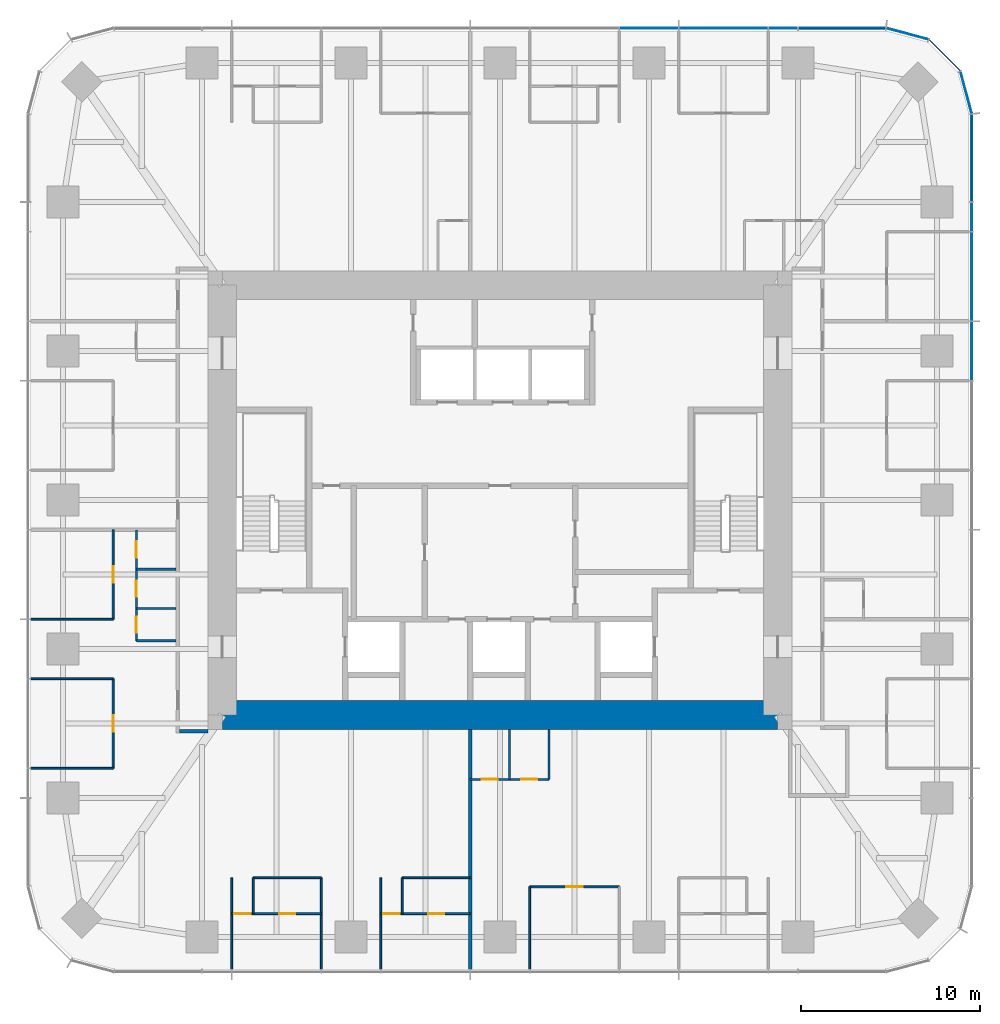
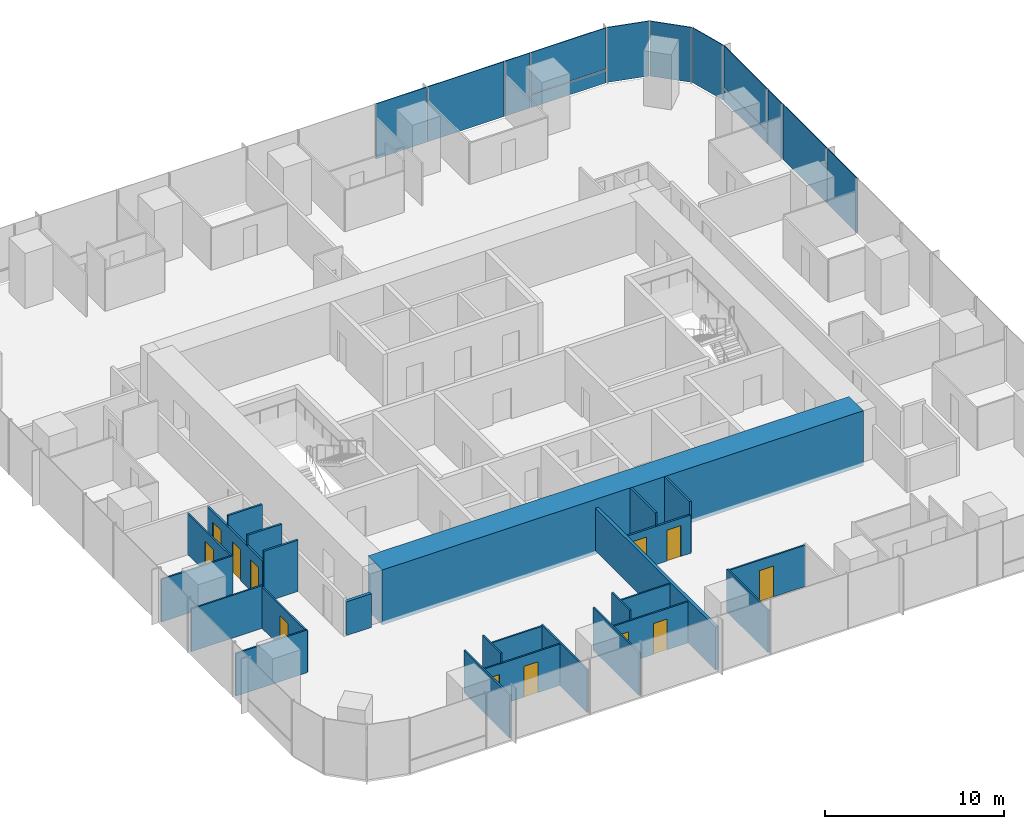
# One storey, part 8 of 12: 26 walls, 13 plates, 12 doors, 12 openings, 3 elements without a shape of their own.
"""IFC4 building model written with IfcOpenShell, lengths in metres."""

from ifc_helpers import new_model, si_unit, direction, frame, frame_2d, origin, origin_2d, place, context, subcontext, project, spatial, rectangle, extrude, material, layer, layer_set, type_object, element, fill, aggregate, save


model = new_model("IFC4")

# Units and contexts
model_context = context("Model", 3, precision=1e-05, world=origin(), true_north=direction((0.0, 1.0)))
body_context = subcontext(model_context, "Body", "Model", "MODEL_VIEW")
ifc_project = project(units=[si_unit("LENGTHUNIT", "METRE"), si_unit("AREAUNIT", "SQUARE_METRE"), si_unit("VOLUMEUNIT", "CUBIC_METRE"), si_unit("PLANEANGLEUNIT", "RADIAN"), si_unit("MASSUNIT", "GRAM", prefix="KILO")], contexts=[model_context])

# Site, building, storey
site_placement = place(None, origin())
site = spatial("IfcSite", under=ifc_project, at=site_placement, CompositionType="ELEMENT")
building_placement = place(site_placement, origin())
building = spatial("IfcBuilding", under=site, at=building_placement, Name="Khuree Lantern Residences", CompositionType="ELEMENT")
storey_placement = place(building_placement, frame((0.0, 0.0, 222.0)))
storey = spatial("IfcBuildingStorey", under=building, at=storey_placement, Name="L55", CompositionType="ELEMENT", Elevation=222.0)

# Curtain wall, plates
ifc_material_1 = material(Name="Bronze anodised aluminium", Category="aluminium")
curtain_wall_type_1 = type_object("IfcCurtainWallType", Name="CW-T2 TOWER CORNER CURTAIN WALL", PredefinedType="USERDEFINED", material=ifc_material_1)
curtain_wall_1_placement = place(storey_placement, origin())
curtain_wall_1 = element("IfcCurtainWall", 1, at=curtain_wall_1_placement, inside=storey, type_object=curtain_wall_type_1, Name="L55 NORTH-EAST CORNER CURTAIN WALL", ObjectType="Faceted corner curtain wall", PredefinedType="USERDEFINED")
ifc_material_2 = material(Name="Bronze tinted triple glazing", Category="glass")
ifc_layer_1 = layer(ifc_material_2, 0.048095703125)
ifc_layer_set_1 = layer_set([ifc_layer_1], Name="FACET PANEL P4")
plate_type_1 = type_object("IfcPlateType", Name="FACET PANEL P4", PredefinedType="CURTAIN_PANEL", material=ifc_layer_set_1)
plate_1_placement = place(storey_placement, frame((26.029052734375, 22.748046875, 0.0), z_axis=(0.0, 0.0, 1.0), x_axis=(-0.258819021888, 0.965925832509, 0.0)))
plate_1 = element("IfcPlate", 2, at=plate_1_placement, type_object=plate_type_1, Name="L55 NORTH-EAST CORNER PANEL 15.1", PredefinedType="CURTAIN_PANEL", context=body_context, shape_type="SweptSolid", body=[
    extrude(rectangle(XDim=2.40869140625, YDim=0.048095703125, at=origin_2d()), origin(), (0.0, 0.0, 1.0), 3.75),
])
plate_2_placement = place(storey_placement, frame((24.828369140625, 24.828369140625, 0.0), z_axis=(0.0, 0.0, 1.0), x_axis=(-0.707106781187, 0.707106781187, 0.0)))
plate_2 = element("IfcPlate", 3, at=plate_2_placement, type_object=plate_type_1, Name="L55 NORTH-EAST CORNER PANEL 16.1", PredefinedType="CURTAIN_PANEL", context=body_context, shape_type="SweptSolid", body=[
    extrude(rectangle(XDim=2.404541015625, YDim=0.048095703125, at=origin_2d()), origin(), (0.0, 0.0, 1.0), 3.75),
])
plate_3_placement = place(storey_placement, frame((22.748046875, 26.029052734375, 0.0), z_axis=(0.0, 0.0, 1.0), x_axis=(-0.965925832509, 0.258819021888, 0.0)))
plate_3 = element("IfcPlate", 4, at=plate_3_placement, type_object=plate_type_1, Name="L55 NORTH-EAST CORNER PANEL 17.1", PredefinedType="CURTAIN_PANEL", context=body_context, shape_type="SweptSolid", body=[
    extrude(rectangle(XDim=2.40869140625, YDim=0.048095703125, at=origin_2d()), origin(), (0.0, 0.0, 1.0), 3.75),
])
aggregate(curtain_wall_1, [plate_1, plate_2, plate_3])

# Curtain wall, plate
curtain_wall_type_2 = type_object("IfcCurtainWallType", Name="CW-T1 TOWER FACE CURTAIN WALL", PredefinedType="USERDEFINED", material=ifc_material_1)
curtain_wall_2_placement = place(storey_placement, origin())
curtain_wall_2 = element("IfcCurtainWall", 5, at=curtain_wall_2_placement, inside=storey, type_object=curtain_wall_type_2, Name="L55 EAST FACE CURTAIN WALL", ObjectType="Stick-built curtain wall", PredefinedType="USERDEFINED")
ifc_material_3 = material(Name="Bronze tinted triple glazing with a ceramic-fritted spandrel band", Category="glass")
ifc_layer_2 = layer(ifc_material_3, 0.048095703125)
ifc_layer_set_2 = layer_set([ifc_layer_2], Name="FIXED LIGHT PANEL P11")
plate_type_2 = type_object("IfcPlateType", Name="FIXED LIGHT PANEL P11", PredefinedType="CURTAIN_PANEL", material=ifc_layer_set_2)
plate_4_placement = place(storey_placement, frame((26.35009765625, 12.47998046875, 0.0), z_axis=(0.0, 0.0, 1.0), x_axis=(0.0, 1.0, 0.0)))
plate_4 = element("IfcPlate", 6, at=plate_4_placement, type_object=plate_type_2, Name="L55 EAST FACE PANEL 12.1", PredefinedType="CURTAIN_PANEL", context=body_context, shape_type="SweptSolid", body=[
    extrude(rectangle(XDim=4.927001953125, YDim=0.048095703125, at=origin_2d()), origin(), (0.0, 0.0, 1.0), 3.75),
])

curtain_wall_3_placement = place(storey_placement, origin())
curtain_wall_3 = element("IfcCurtainWall", 7, at=curtain_wall_3_placement, inside=storey, type_object=curtain_wall_type_2, Name="L55 NORTH FACE CURTAIN WALL", ObjectType="Stick-built curtain wall", PredefinedType="USERDEFINED")
plate_5_placement = place(storey_placement, frame((12.47998046875, 26.35009765625, 0.0), z_axis=(0.0, 0.0, 1.0), x_axis=(-1.0, 0.0, 0.0)))
plate_5 = element("IfcPlate", 8, at=plate_5_placement, type_object=plate_type_2, Name="L55 NORTH FACE PANEL 20.1", PredefinedType="CURTAIN_PANEL", context=body_context, shape_type="SweptSolid", body=[
    extrude(rectangle(XDim=4.927001953125, YDim=0.048095703125, at=origin_2d()), origin(), (0.0, 0.0, 1.0), 3.75),
])

# Plate
ifc_material_4 = material(Name="Bronze tinted triple glazing, two aluminium-framed sashes in one frame", Category="aluminium")
ifc_layer_3 = layer(ifc_material_4, 0.048095703125)
ifc_layer_set_3 = layer_set([ifc_layer_3], Name="SASH PAIR PANEL P12")
plate_type_3 = type_object("IfcPlateType", Name="SASH PAIR PANEL P12", PredefinedType="CURTAIN_PANEL", material=ifc_layer_set_3)
plate_6_placement = place(storey_placement, frame((26.35009765625, 8.320068359375, 0.0), z_axis=(0.0, 0.0, 1.0), x_axis=(0.0, 1.0, 0.0)))
plate_6 = element("IfcPlate", 9, at=plate_6_placement, type_object=plate_type_3, Name="L55 EAST FACE PANEL 11.1", PredefinedType="CURTAIN_PANEL", context=body_context, shape_type="SweptSolid", body=[
    extrude(rectangle(XDim=3.262939453125, YDim=0.048095703125, at=origin_2d()), origin(), (0.0, 0.0, 1.0), 3.75),
])

plate_7_placement = place(storey_placement, frame((8.320068359375, 26.35009765625, 0.0), z_axis=(0.0, 0.0, 1.0), x_axis=(-1.0, 0.0, 0.0)))
plate_7 = element("IfcPlate", 10, at=plate_7_placement, type_object=plate_type_3, Name="L55 NORTH FACE PANEL 21.1", PredefinedType="CURTAIN_PANEL", context=body_context, shape_type="SweptSolid", body=[
    extrude(rectangle(XDim=3.262939453125, YDim=0.048095703125, at=origin_2d()), origin(), (0.0, 0.0, 1.0), 3.75),
])

ifc_material_5 = material(Name="Bronze tinted triple glazing, aluminium-framed sash", Category="aluminium")
ifc_layer_4 = layer(ifc_material_5, 0.048095703125)
ifc_layer_set_4 = layer_set([ifc_layer_4], Name="SASH PANEL P3")
plate_type_4 = type_object("IfcPlateType", Name="SASH PANEL P3", PredefinedType="CURTAIN_PANEL", material=ifc_layer_set_4)
plate_8_placement = place(storey_placement, frame((26.35009765625, 15.80810546875, 0.0), z_axis=(0.0, 0.0, 1.0), x_axis=(0.0, 1.0, 0.0)))
plate_8 = element("IfcPlate", 11, at=plate_8_placement, type_object=plate_type_4, Name="L55 EAST FACE PANEL 13.1", PredefinedType="CURTAIN_PANEL", context=body_context, shape_type="SweptSolid", body=[
    extrude(rectangle(XDim=1.59912109375, YDim=0.048095703125, at=origin_2d()), origin(), (0.0, 0.0, 1.0), 3.75),
])

plate_9_placement = place(storey_placement, frame((15.80810546875, 26.35009765625, 0.0), z_axis=(0.0, 0.0, 1.0), x_axis=(-1.0, 0.0, 0.0)))
plate_9 = element("IfcPlate", 12, at=plate_9_placement, type_object=plate_type_4, Name="L55 NORTH FACE PANEL 19.1", PredefinedType="CURTAIN_PANEL", context=body_context, shape_type="SweptSolid", body=[
    extrude(rectangle(XDim=1.59912109375, YDim=0.048095703125, at=origin_2d()), origin(), (0.0, 0.0, 1.0), 3.75),
])

ifc_material_6 = material(Name="Bronze anodised aluminium insulated spandrel", Category="aluminium")
ifc_layer_5 = layer(ifc_material_6, 0.06005859375)
ifc_layer_set_5 = layer_set([ifc_layer_5], Name="SPANDREL PANEL P2")
plate_type_5 = type_object("IfcPlateType", Name="SPANDREL PANEL P2", PredefinedType="CURTAIN_PANEL", material=ifc_layer_set_5)
plate_10_placement = place(storey_placement, frame((26.35009765625, 19.0927734375, 0.0), z_axis=(0.0, 0.0, 1.0), x_axis=(0.0, 1.0, 0.0)))
plate_10 = element("IfcPlate", 13, at=plate_10_placement, type_object=plate_type_5, Name="L55 EAST FACE PANEL 14.1", PredefinedType="CURTAIN_PANEL", context=body_context, shape_type="SweptSolid", body=[
    extrude(rectangle(XDim=4.8408203125, YDim=0.06005859375, at=origin_2d()), origin(), (0.0, 0.0, 1.0), 0.867431640625),
])

plate_11_placement = place(storey_placement, frame((19.0927734375, 26.35009765625, 0.0), z_axis=(0.0, 0.0, 1.0), x_axis=(-1.0, 0.0, 0.0)))
plate_11 = element("IfcPlate", 14, at=plate_11_placement, type_object=plate_type_5, Name="L55 NORTH FACE PANEL 18.1", PredefinedType="CURTAIN_PANEL", context=body_context, shape_type="SweptSolid", body=[
    extrude(rectangle(XDim=4.8408203125, YDim=0.06005859375, at=origin_2d()), origin(), (0.0, 0.0, 1.0), 0.867431640625),
])

ifc_layer_6 = layer(ifc_material_2, 0.048095703125)
ifc_layer_set_6 = layer_set([ifc_layer_6], Name="VISION PANEL P1")
plate_type_6 = type_object("IfcPlateType", Name="VISION PANEL P1", PredefinedType="CURTAIN_PANEL", material=ifc_layer_set_6)
plate_12_placement = place(storey_placement, frame((26.35009765625, 19.09326171875, 0.9326171875), z_axis=(0.0, 0.0, 1.0), x_axis=(0.0, 1.0, 0.0)))
plate_12 = element("IfcPlate", 15, at=plate_12_placement, type_object=plate_type_6, Name="L55 EAST FACE PANEL 14.2", PredefinedType="CURTAIN_PANEL", context=body_context, shape_type="SweptSolid", body=[
    extrude(rectangle(XDim=4.841552734375, YDim=0.048095703125, at=origin_2d()), origin(), (0.0, 0.0, 1.0), 2.8173828125),
])

aggregate(curtain_wall_2, [plate_6, plate_4, plate_8, plate_10, plate_12])

plate_13_placement = place(storey_placement, frame((19.09326171875, 26.35009765625, 0.9326171875), z_axis=(0.0, 0.0, 1.0), x_axis=(-1.0, 0.0, 0.0)))
plate_13 = element("IfcPlate", 16, at=plate_13_placement, type_object=plate_type_6, Name="L55 NORTH FACE PANEL 18.2", PredefinedType="CURTAIN_PANEL", context=body_context, shape_type="SweptSolid", body=[
    extrude(rectangle(XDim=4.841552734375, YDim=0.048095703125, at=origin_2d()), origin(), (0.0, 0.0, 1.0), 2.8173828125),
])

aggregate(curtain_wall_3, [plate_11, plate_13, plate_9, plate_5, plate_7])

# Wall, openings, doors
ifc_material_7 = material(Name="Moisture-resistant gypsum board on steel studs", Category="steel")
ifc_layer_7 = layer(ifc_material_7, 0.125)
ifc_layer_set_7 = layer_set([ifc_layer_7], Name="BATHROOM WALL BTW125")
wall_type_1 = type_object("IfcWallType", Name="BATHROOM WALL BTW125", PredefinedType="PARTITIONING", material=ifc_layer_set_7)
wall_1_placement = place(storey_placement, frame((-20.300048828125, -1.6640625, 0.0), z_axis=(0.0, 0.0, 1.0), x_axis=(0.0, -1.0, 0.0)))
wall_1 = element("IfcWall", 17, at=wall_1_placement, inside=storey, type_object=wall_type_1, Name="L55 BATHROOM WALL 05", PredefinedType="PARTITIONING", context=body_context, shape_type="SweptSolid", body=[
    extrude(rectangle(XDim=6.199951171875, YDim=0.125, at=frame_2d((3.10009765625, 0.0))), origin(), (0.0, 0.0, 1.0), 2.81005859375),
])
opening_1_placement = place(wall_1_placement, frame((0.64990234375, 0.0, 0.0)))
opening_1 = element("IfcOpeningElement", 18, at=opening_1_placement, cuts=wall_1, Name="Opening 55-046", PredefinedType="OPENING", context=body_context, shape_type="SweptSolid", body=[
    extrude(rectangle(XDim=0.89990234375, YDim=2.10009765625, at=frame_2d((0.449951171875, 1.050048828125))), frame((0.0, 0.072509765625, 0.0), z_axis=(0.0, -1.0, 0.0), x_axis=(1.0, 0.0, 0.0)), (0.0, 0.0, 1.0), 0.14501953125),
])
opening_2_placement = place(wall_1_placement, frame((2.85009765625, 0.0, 0.0)))
opening_2 = element("IfcOpeningElement", 19, at=opening_2_placement, cuts=wall_1, Name="Opening 55-047", PredefinedType="OPENING", context=body_context, shape_type="SweptSolid", body=[
    extrude(rectangle(XDim=0.89990234375, YDim=2.10009765625, at=frame_2d((0.449951171875, 1.050048828125))), frame((0.0, 0.072509765625, 0.0), z_axis=(0.0, -1.0, 0.0), x_axis=(1.0, 0.0, 0.0)), (0.0, 0.0, 1.0), 0.14501953125),
])
opening_3_placement = place(wall_1_placement, frame((4.85009765625, 0.0, 0.0)))
opening_3 = element("IfcOpeningElement", 20, at=opening_3_placement, cuts=wall_1, Name="Opening 55-048", PredefinedType="OPENING", context=body_context, shape_type="SweptSolid", body=[
    extrude(rectangle(XDim=0.89990234375, YDim=2.10009765625, at=frame_2d((0.449951171875, 1.050048828125))), frame((0.0, 0.072509765625, 0.0), z_axis=(0.0, -1.0, 0.0), x_axis=(1.0, 0.0, 0.0)), (0.0, 0.0, 1.0), 0.14501953125),
])
ifc_material_8 = material(Name="Timber door leaf in hardwood frame", Category="wood")
door_type_1 = type_object("IfcDoorType", Name="BATHROOM DOOR 900X2100", OperationType="SINGLE_SWING_LEFT", PredefinedType="DOOR", material=ifc_material_8)
door_1_placement = place(opening_1_placement, origin())
door_1 = element("IfcDoor", 21, at=door_1_placement, inside=storey, type_object=door_type_1, Name="Bathroom door 55-046", OperationType="SINGLE_SWING_LEFT", OverallHeight=2.10009765625, OverallWidth=0.89990234375, PredefinedType="DOOR", context=body_context, shape_type="SweptSolid", body=[
    extrude(rectangle(XDim=0.89990234375, YDim=2.10009765625, at=frame_2d((0.449951171875, 1.050048828125))), frame((0.0, 0.02490234375, 0.0), z_axis=(0.0, -1.0, 0.0), x_axis=(1.0, 0.0, 0.0)), (0.0, 0.0, 1.0), 0.050048828125),
])
fill(opening_1, door_1)
door_2_placement = place(opening_2_placement, origin())
door_2 = element("IfcDoor", 22, at=door_2_placement, inside=storey, type_object=door_type_1, Name="Bathroom door 55-047", OperationType="SINGLE_SWING_LEFT", OverallHeight=2.10009765625, OverallWidth=0.89990234375, PredefinedType="DOOR", context=body_context, shape_type="SweptSolid", body=[
    extrude(rectangle(XDim=0.89990234375, YDim=2.10009765625, at=frame_2d((0.449951171875, 1.050048828125))), frame((0.0, 0.02490234375, 0.0), z_axis=(0.0, -1.0, 0.0), x_axis=(1.0, 0.0, 0.0)), (0.0, 0.0, 1.0), 0.050048828125),
])
fill(opening_2, door_2)
door_type_2 = type_object("IfcDoorType", Name="DOOR 900X2100", OperationType="SINGLE_SWING_LEFT", PredefinedType="DOOR", material=ifc_material_8)
door_3_placement = place(opening_3_placement, origin())
door_3 = element("IfcDoor", 23, at=door_3_placement, inside=storey, type_object=door_type_2, Name="Store door 55-048", OperationType="SINGLE_SWING_LEFT", OverallHeight=2.10009765625, OverallWidth=0.89990234375, PredefinedType="DOOR", context=body_context, shape_type="SweptSolid", body=[
    extrude(rectangle(XDim=0.89990234375, YDim=2.10009765625, at=frame_2d((0.449951171875, 1.050048828125))), frame((0.0, 0.02490234375, 0.0), z_axis=(0.0, -1.0, 0.0), x_axis=(1.0, 0.0, 0.0)), (0.0, 0.0, 1.0), 0.050048828125),
])
fill(opening_3, door_3)

# Walls
for number, where, z_axis, x_axis, name in (
    (24, (-18.10009765625, -3.864013671875, 0.0), (0.0, 0.0, 1.0), (-1.0, 0.0, 0.0), "L55 BATHROOM WALL 05"),
    (25, (-18.10009765625, -6.06396484375, 0.0), (0.0, 0.0, 1.0), (-1.0, 0.0, 0.0), "L55 BATHROOM WALL 05"),
    (26, (-18.10009765625, -7.864013671875, 0.0), (0.0, 0.0, 1.0), (-1.0, 0.0, 0.0), "L55 BATHROOM WALL 05"),
):
    element("IfcWall", number, at=place(storey_placement, frame(where, z_axis=z_axis, x_axis=x_axis)), inside=storey, type_object=wall_type_1, Name=name, PredefinedType="PARTITIONING", context=body_context, shape_type="SweptSolid", body=[
        extrude(rectangle(XDim=2.199951171875, YDim=0.125, at=frame_2d((1.10009765625, 0.0))), origin(), (0.0, 0.0, 1.0), 3.5),
    ])

# Wall, openings, doors
wall_2_placement = place(storey_placement, frame((-1.6640625, -15.60009765625, 0.0), z_axis=(0.0, 0.0, 1.0), x_axis=(1.0, 0.0, 0.0)))
wall_2 = element("IfcWall", 27, at=wall_2_placement, inside=storey, type_object=wall_type_1, Name="L55 BATHROOM WALL 06", PredefinedType="PARTITIONING", context=body_context, shape_type="SweptSolid", body=[
    extrude(rectangle(XDim=4.400146484375, YDim=0.125, at=frame_2d((2.2001953125, 0.0))), origin(), (0.0, 0.0, 1.0), 2.60009765625),
])
opening_4_placement = place(wall_2_placement, frame((0.64990234375, 0.0, 0.0)))
opening_4 = element("IfcOpeningElement", 28, at=opening_4_placement, cuts=wall_2, Name="Opening 55-054", PredefinedType="OPENING", context=body_context, shape_type="SweptSolid", body=[
    extrude(rectangle(XDim=0.89990234375, YDim=2.10009765625, at=frame_2d((0.449951171875, 1.050048828125))), frame((0.0, 0.072509765625, 0.0), z_axis=(0.0, -1.0, 0.0), x_axis=(1.0, 0.0, 0.0)), (0.0, 0.0, 1.0), 0.14501953125),
])
opening_5_placement = place(wall_2_placement, frame((2.85009765625, 0.0, 0.0)))
opening_5 = element("IfcOpeningElement", 29, at=opening_5_placement, cuts=wall_2, Name="Opening 55-055", PredefinedType="OPENING", context=body_context, shape_type="SweptSolid", body=[
    extrude(rectangle(XDim=0.89990234375, YDim=2.10009765625, at=frame_2d((0.449951171875, 1.050048828125))), frame((0.0, 0.072509765625, 0.0), z_axis=(0.0, -1.0, 0.0), x_axis=(1.0, 0.0, 0.0)), (0.0, 0.0, 1.0), 0.14501953125),
])
door_4_placement = place(opening_4_placement, origin())
door_4 = element("IfcDoor", 30, at=door_4_placement, inside=storey, type_object=door_type_1, Name="Bathroom door 55-054", OperationType="SINGLE_SWING_LEFT", OverallHeight=2.10009765625, OverallWidth=0.89990234375, PredefinedType="DOOR", context=body_context, shape_type="SweptSolid", body=[
    extrude(rectangle(XDim=0.89990234375, YDim=2.10009765625, at=frame_2d((0.449951171875, 1.050048828125))), frame((0.0, 0.02490234375, 0.0), z_axis=(0.0, -1.0, 0.0), x_axis=(1.0, 0.0, 0.0)), (0.0, 0.0, 1.0), 0.050048828125),
])
fill(opening_4, door_4)
door_5_placement = place(opening_5_placement, origin())
door_5 = element("IfcDoor", 31, at=door_5_placement, inside=storey, type_object=door_type_1, Name="Bathroom door 55-055", OperationType="SINGLE_SWING_LEFT", OverallHeight=2.10009765625, OverallWidth=0.89990234375, PredefinedType="DOOR", context=body_context, shape_type="SweptSolid", body=[
    extrude(rectangle(XDim=0.89990234375, YDim=2.10009765625, at=frame_2d((0.449951171875, 1.050048828125))), frame((0.0, 0.02490234375, 0.0), z_axis=(0.0, -1.0, 0.0), x_axis=(1.0, 0.0, 0.0)), (0.0, 0.0, 1.0), 0.050048828125),
])
fill(opening_5, door_5)

# Walls
for number, where, z_axis, x_axis, name in (
    (32, (0.535888671875, -12.800048828125, 0.0), (0.0, 0.0, 1.0), (0.0, -1.0, 0.0), "L55 BATHROOM WALL 06"),
    (33, (2.736083984375, -12.800048828125, 0.0), (0.0, 0.0, 1.0), (0.0, -1.0, 0.0), "L55 BATHROOM WALL 06"),
):
    element("IfcWall", number, at=place(storey_placement, frame(where, z_axis=z_axis, x_axis=x_axis)), inside=storey, type_object=wall_type_1, Name=name, PredefinedType="PARTITIONING", context=body_context, shape_type="SweptSolid", body=[
        extrude(rectangle(XDim=2.800048828125, YDim=0.125, at=frame_2d((1.39990234375, 0.0))), origin(), (0.0, 0.0, 1.0), 3.5),
    ])
ifc_material_9 = material(Name="Gypsum board on steel studs", Category="steel")
ifc_layer_8 = layer(ifc_material_9, 0.199951171875)
ifc_layer_set_8 = layer_set([ifc_layer_8], Name="CORRIDOR WALL CRW200 EI 60")
wall_type_2 = type_object("IfcWallType", Name="CORRIDOR WALL CRW200 EI 60", PredefinedType="PARTITIONING", material=ifc_layer_set_8)
wall_3_placement = place(storey_placement, frame((-16.300048828125, -12.89990234375, 0.0), z_axis=(0.0, 0.0, 1.0), x_axis=(-1.0, 0.0, 0.0)))
element("IfcWall", 34, at=wall_3_placement, inside=storey, type_object=wall_type_2, Name="L55 WEST CORRIDOR SOUTH END WALL", PredefinedType="PARTITIONING", context=body_context, shape_type="SweptSolid", body=[
    extrude(rectangle(XDim=1.599853515625, YDim=0.199951171875, at=frame_2d((0.7998046875, 0.0))), origin(), (0.0, 0.0, 1.0), 2.300048828125),
])
ifc_material_10 = material(Name="Concrete C50/60", Category="concrete")
ifc_layer_9 = layer(ifc_material_10, 1.60009765625)
ifc_layer_set_9 = layer_set([ifc_layer_9], Name="CW1600-C50 CORE WALL C50 1600")
wall_type_3 = type_object("IfcWallType", Name="CW1600-C50 CORE WALL C50 1600", PredefinedType="SHEAR", material=ifc_layer_set_9)
wall_4_placement = place(storey_placement, frame((-15.5, -12.0, -0.25), z_axis=(0.0, 0.0, 1.0), x_axis=(1.0, 0.0, 0.0)))
element("IfcWall", 35, at=wall_4_placement, inside=storey, type_object=wall_type_3, Name="Core wall S", PredefinedType="SHEAR", context=body_context, shape_type="SweptSolid", body=[
    extrude(rectangle(XDim=31.0, YDim=1.60009765625, at=frame_2d((15.5, 0.0))), origin(), (0.0, 0.0, 1.0), 3.75),
])
ifc_layer_10 = layer(ifc_material_9, 0.199951171875)
ifc_layer_set_10 = layer_set([ifc_layer_10], Name="DEMISING WALL DMW200 EI 90")
wall_type_4 = type_object("IfcWallType", Name="DEMISING WALL DMW200 EI 90", PredefinedType="PARTITIONING", material=ifc_layer_set_10)
wall_5_placement = place(storey_placement, frame((-1.6640625, -12.800048828125, 0.0), z_axis=(0.0, 0.0, 1.0), x_axis=(0.0, -1.0, 0.0)))
element("IfcWall", 36, at=wall_5_placement, inside=storey, type_object=wall_type_4, Name="L55 DEMISING WALL 06", PredefinedType="PARTITIONING", context=body_context, shape_type="SweptSolid", body=[
    extrude(rectangle(XDim=13.39990234375, YDim=0.199951171875, at=frame_2d((6.699951171875, 0.0))), origin(), (0.0, 0.0, 1.0), 2.909912109375),
])
ifc_layer_11 = layer(ifc_material_9, 0.10009765625)
ifc_layer_set_11 = layer_set([ifc_layer_11], Name="PARTITION PT100")
wall_type_5 = type_object("IfcWallType", Name="PARTITION PT100", PredefinedType="PARTITIONING", material=ifc_layer_set_11)
for number, where, z_axis, x_axis, name in (
    (37, (-21.60009765625, -6.656005859375, 0.0), (0.0, 0.0, 1.0), (-1.0, 0.0, 0.0), "L55 PARTITION 05"),
    (38, (-21.60009765625, -9.98388671875, 0.0), (0.0, 0.0, 1.0), (-1.0, 0.0, 0.0), "L55 PARTITION 05"),
    (39, (-21.60009765625, -14.97607421875, 0.0), (0.0, 0.0, 1.0), (-1.0, 0.0, 0.0), "L55 PARTITION 05"),
):
    element("IfcWall", number, at=place(storey_placement, frame(where, z_axis=z_axis, x_axis=x_axis)), inside=storey, type_object=wall_type_5, Name=name, PredefinedType="PARTITIONING", context=body_context, shape_type="SweptSolid", body=[
        extrude(rectangle(XDim=4.599853515625, YDim=0.10009765625, at=frame_2d((2.2998046875, 0.0))), origin(), (0.0, 0.0, 1.0), 2.909912109375),
    ])
for number, where, z_axis, x_axis, name in (
    (40, (-14.97607421875, -21.094970703125, 0.0), (0.0, 0.0, 1.0), (0.0, -1.0, 0.0), "L55 PARTITION 05"),
    (41, (-9.98388671875, -21.094970703125, 0.0), (0.0, 0.0, 1.0), (0.0, -1.0, 0.0), "L55 PARTITION 05"),
    (42, (-6.656005859375, -21.094970703125, 0.0), (0.0, 0.0, 1.0), (0.0, -1.0, 0.0), "L55 PARTITION 05"),
):
    element("IfcWall", number, at=place(storey_placement, frame(where, z_axis=z_axis, x_axis=x_axis)), inside=storey, type_object=wall_type_5, Name=name, PredefinedType="PARTITIONING", context=body_context, shape_type="SweptSolid", body=[
        extrude(rectangle(XDim=5.10498046875, YDim=0.10009765625, at=frame_2d((2.552490234375, 0.0))), origin(), (0.0, 0.0, 1.0), 2.909912109375),
    ])
wall_6_placement = place(storey_placement, frame((1.6640625, -21.60009765625, 0.0), z_axis=(0.0, 0.0, 1.0), x_axis=(0.0, -1.0, 0.0)))
element("IfcWall", 43, at=wall_6_placement, inside=storey, type_object=wall_type_5, Name="L55 PARTITION 06", PredefinedType="PARTITIONING", context=body_context, shape_type="SweptSolid", body=[
    extrude(rectangle(XDim=4.599853515625, YDim=0.10009765625, at=frame_2d((2.2998046875, 0.0))), origin(), (0.0, 0.0, 1.0), 2.909912109375),
])

# Wall, opening, door
wall_7_placement = place(storey_placement, frame((-21.60009765625, -1.6640625, 0.0), z_axis=(0.0, 0.0, 1.0), x_axis=(0.0, -1.0, 0.0)))
wall_7 = element("IfcWall", 44, at=wall_7_placement, inside=storey, type_object=wall_type_5, Name="L55 PARTITION 05", PredefinedType="PARTITIONING", context=body_context, shape_type="SweptSolid", body=[
    extrude(rectangle(XDim=4.991943359375, YDim=0.10009765625, at=frame_2d((2.49609375, 0.0))), origin(), (0.0, 0.0, 1.0), 2.81005859375),
])
opening_6_placement = place(wall_7_placement, frame((2.0458984375, 0.0, 0.0)))
opening_6 = element("IfcOpeningElement", 45, at=opening_6_placement, cuts=wall_7, Name="Opening 55-040", PredefinedType="OPENING", context=body_context, shape_type="SweptSolid", body=[
    extrude(rectangle(XDim=0.89990234375, YDim=2.10009765625, at=frame_2d((0.449951171875, 1.050048828125))), frame((0.0, 0.06005859375, 0.0), z_axis=(0.0, -1.0, 0.0), x_axis=(1.0, 0.0, 0.0)), (0.0, 0.0, 1.0), 0.1201171875),
])
door_type_3 = type_object("IfcDoorType", Name="BEDROOM DOOR 900X2100", OperationType="SINGLE_SWING_LEFT", PredefinedType="DOOR", material=ifc_material_8)
door_6_placement = place(opening_6_placement, origin())
door_6 = element("IfcDoor", 46, at=door_6_placement, inside=storey, type_object=door_type_3, Name="Bedroom door 55-040", OperationType="SINGLE_SWING_LEFT", OverallHeight=2.10009765625, OverallWidth=0.89990234375, PredefinedType="DOOR", context=body_context, shape_type="SweptSolid", body=[
    extrude(rectangle(XDim=0.89990234375, YDim=2.10009765625, at=frame_2d((0.449951171875, 1.050048828125))), frame((0.0, 0.02490234375, 0.0), z_axis=(0.0, -1.0, 0.0), x_axis=(1.0, 0.0, 0.0)), (0.0, 0.0, 1.0), 0.050048828125),
])
fill(opening_6, door_6)

wall_8_placement = place(storey_placement, frame((-21.60009765625, -9.98388671875, 0.0), z_axis=(0.0, 0.0, 1.0), x_axis=(0.0, -1.0, 0.0)))
wall_8 = element("IfcWall", 47, at=wall_8_placement, inside=storey, type_object=wall_type_5, Name="L55 PARTITION 05", PredefinedType="PARTITIONING", context=body_context, shape_type="SweptSolid", body=[
    extrude(rectangle(XDim=4.9921875, YDim=0.10009765625, at=frame_2d((2.49609375, 0.0))), origin(), (0.0, 0.0, 1.0), 2.81005859375),
])
opening_7_placement = place(wall_8_placement, frame((2.0458984375, 0.0, 0.0)))
opening_7 = element("IfcOpeningElement", 48, at=opening_7_placement, cuts=wall_8, Name="Opening 55-041", PredefinedType="OPENING", context=body_context, shape_type="SweptSolid", body=[
    extrude(rectangle(XDim=0.89990234375, YDim=2.10009765625, at=frame_2d((0.449951171875, 1.050048828125))), frame((0.0, 0.06005859375, 0.0), z_axis=(0.0, -1.0, 0.0), x_axis=(1.0, 0.0, 0.0)), (0.0, 0.0, 1.0), 0.1201171875),
])
door_7_placement = place(opening_7_placement, origin())
door_7 = element("IfcDoor", 49, at=door_7_placement, inside=storey, type_object=door_type_3, Name="Bedroom door 55-041", OperationType="SINGLE_SWING_LEFT", OverallHeight=2.10009765625, OverallWidth=0.89990234375, PredefinedType="DOOR", context=body_context, shape_type="SweptSolid", body=[
    extrude(rectangle(XDim=0.89990234375, YDim=2.10009765625, at=frame_2d((0.449951171875, 1.050048828125))), frame((0.0, 0.02490234375, 0.0), z_axis=(0.0, -1.0, 0.0), x_axis=(1.0, 0.0, 0.0)), (0.0, 0.0, 1.0), 0.050048828125),
])
fill(opening_7, door_7)

# Wall, openings, doors
wall_9_placement = place(storey_placement, frame((-14.97607421875, -23.094970703125, 0.0), z_axis=(0.0, 0.0, 1.0), x_axis=(1.0, 0.0, 0.0)))
wall_9 = element("IfcWall", 50, at=wall_9_placement, inside=storey, type_object=wall_type_5, Name="L55 PARTITION 05", PredefinedType="PARTITIONING", context=body_context, shape_type="SweptSolid", body=[
    extrude(rectangle(XDim=4.9921875, YDim=0.10009765625, at=frame_2d((2.49609375, 0.0))), origin(), (0.0, 0.0, 1.0), 2.81005859375),
])
opening_8_placement = place(wall_9_placement, frame((0.14990234375, 0.0, 0.0)))
opening_8 = element("IfcOpeningElement", 51, at=opening_8_placement, cuts=wall_9, Name="Opening 55-042", PredefinedType="OPENING", context=body_context, shape_type="SweptSolid", body=[
    extrude(rectangle(XDim=0.89990234375, YDim=2.10009765625, at=frame_2d((0.449951171875, 1.050048828125))), frame((0.0, 0.06005859375, 0.0), z_axis=(0.0, -1.0, 0.0), x_axis=(1.0, 0.0, 0.0)), (0.0, 0.0, 1.0), 0.1201171875),
])
opening_9_placement = place(wall_9_placement, frame((2.64599609375, 0.0, 0.0)))
opening_9 = element("IfcOpeningElement", 52, at=opening_9_placement, cuts=wall_9, Name="Opening 55-043", PredefinedType="OPENING", context=body_context, shape_type="SweptSolid", body=[
    extrude(rectangle(XDim=0.89990234375, YDim=2.10009765625, at=frame_2d((0.449951171875, 1.050048828125))), frame((0.0, 0.06005859375, 0.0), z_axis=(0.0, -1.0, 0.0), x_axis=(1.0, 0.0, 0.0)), (0.0, 0.0, 1.0), 0.1201171875),
])
door_8_placement = place(opening_8_placement, origin())
door_8 = element("IfcDoor", 53, at=door_8_placement, inside=storey, type_object=door_type_3, Name="Bedroom door 55-042", OperationType="SINGLE_SWING_LEFT", OverallHeight=2.10009765625, OverallWidth=0.89990234375, PredefinedType="DOOR", context=body_context, shape_type="SweptSolid", body=[
    extrude(rectangle(XDim=0.89990234375, YDim=2.10009765625, at=frame_2d((0.449951171875, 1.050048828125))), frame((0.0, 0.02490234375, 0.0), z_axis=(0.0, -1.0, 0.0), x_axis=(1.0, 0.0, 0.0)), (0.0, 0.0, 1.0), 0.050048828125),
])
fill(opening_8, door_8)
door_9_placement = place(opening_9_placement, origin())
door_9 = element("IfcDoor", 54, at=door_9_placement, inside=storey, type_object=door_type_2, Name="Wardrobe door 55-043", OperationType="SINGLE_SWING_LEFT", OverallHeight=2.10009765625, OverallWidth=0.89990234375, PredefinedType="DOOR", context=body_context, shape_type="SweptSolid", body=[
    extrude(rectangle(XDim=0.89990234375, YDim=2.10009765625, at=frame_2d((0.449951171875, 1.050048828125))), frame((0.0, 0.02490234375, 0.0), z_axis=(0.0, -1.0, 0.0), x_axis=(1.0, 0.0, 0.0)), (0.0, 0.0, 1.0), 0.050048828125),
])
fill(opening_9, door_9)

# Walls
wall_10_placement = place(storey_placement, frame((-13.77587890625, -21.094970703125, 0.0), z_axis=(0.0, 0.0, 1.0), x_axis=(0.0, -1.0, 0.0)))
element("IfcWall", 55, at=wall_10_placement, inside=storey, type_object=wall_type_5, Name="L55 PARTITION 05", PredefinedType="PARTITIONING", context=body_context, shape_type="SweptSolid", body=[
    extrude(rectangle(XDim=2.0, YDim=0.10009765625, at=frame_2d((1.0, 0.0))), origin(), (0.0, 0.0, 1.0), 3.5),
])
wall_11_placement = place(storey_placement, frame((-13.77587890625, -21.094970703125, 0.0), z_axis=(0.0, 0.0, 1.0), x_axis=(1.0, 0.0, 0.0)))
element("IfcWall", 56, at=wall_11_placement, inside=storey, type_object=wall_type_5, Name="L55 PARTITION 05", PredefinedType="PARTITIONING", context=body_context, shape_type="SweptSolid", body=[
    extrude(rectangle(XDim=3.7919921875, YDim=0.10009765625, at=frame_2d((1.89599609375, 0.0))), origin(), (0.0, 0.0, 1.0), 2.81005859375),
])

# Wall, openings, doors
wall_12_placement = place(storey_placement, frame((-6.656005859375, -23.094970703125, 0.0), z_axis=(0.0, 0.0, 1.0), x_axis=(1.0, 0.0, 0.0)))
wall_12 = element("IfcWall", 57, at=wall_12_placement, inside=storey, type_object=wall_type_5, Name="L55 PARTITION 05", PredefinedType="PARTITIONING", context=body_context, shape_type="SweptSolid", body=[
    extrude(rectangle(XDim=4.991943359375, YDim=0.10009765625, at=frame_2d((2.49609375, 0.0))), origin(), (0.0, 0.0, 1.0), 2.81005859375),
])
opening_10_placement = place(wall_12_placement, frame((0.14990234375, 0.0, 0.0)))
opening_10 = element("IfcOpeningElement", 58, at=opening_10_placement, cuts=wall_12, Name="Opening 55-044", PredefinedType="OPENING", context=body_context, shape_type="SweptSolid", body=[
    extrude(rectangle(XDim=0.89990234375, YDim=2.10009765625, at=frame_2d((0.449951171875, 1.050048828125))), frame((0.0, 0.06005859375, 0.0), z_axis=(0.0, -1.0, 0.0), x_axis=(1.0, 0.0, 0.0)), (0.0, 0.0, 1.0), 0.1201171875),
])
opening_11_placement = place(wall_12_placement, frame((2.64599609375, 0.0, 0.0)))
opening_11 = element("IfcOpeningElement", 59, at=opening_11_placement, cuts=wall_12, Name="Opening 55-045", PredefinedType="OPENING", context=body_context, shape_type="SweptSolid", body=[
    extrude(rectangle(XDim=0.89990234375, YDim=2.10009765625, at=frame_2d((0.449951171875, 1.050048828125))), frame((0.0, 0.06005859375, 0.0), z_axis=(0.0, -1.0, 0.0), x_axis=(1.0, 0.0, 0.0)), (0.0, 0.0, 1.0), 0.1201171875),
])
door_10_placement = place(opening_10_placement, origin())
door_10 = element("IfcDoor", 60, at=door_10_placement, inside=storey, type_object=door_type_3, Name="Bedroom door 55-044", OperationType="SINGLE_SWING_LEFT", OverallHeight=2.10009765625, OverallWidth=0.89990234375, PredefinedType="DOOR", context=body_context, shape_type="SweptSolid", body=[
    extrude(rectangle(XDim=0.89990234375, YDim=2.10009765625, at=frame_2d((0.449951171875, 1.050048828125))), frame((0.0, 0.02490234375, 0.0), z_axis=(0.0, -1.0, 0.0), x_axis=(1.0, 0.0, 0.0)), (0.0, 0.0, 1.0), 0.050048828125),
])
fill(opening_10, door_10)
door_type_4 = type_object("IfcDoorType", Name="DOOR 900X2100 RIGHT HAND", OperationType="SINGLE_SWING_RIGHT", PredefinedType="DOOR", material=ifc_material_8)
door_11_placement = place(opening_11_placement, origin())
door_11 = element("IfcDoor", 61, at=door_11_placement, inside=storey, type_object=door_type_4, Name="Wardrobe door 55-045", OperationType="SINGLE_SWING_RIGHT", OverallHeight=2.10009765625, OverallWidth=0.89990234375, PredefinedType="DOOR", context=body_context, shape_type="SweptSolid", body=[
    extrude(rectangle(XDim=0.89990234375, YDim=2.10009765625, at=frame_2d((0.449951171875, 1.050048828125))), frame((0.0, 0.02490234375, 0.0), z_axis=(0.0, -1.0, 0.0), x_axis=(1.0, 0.0, 0.0)), (0.0, 0.0, 1.0), 0.050048828125),
])
fill(opening_11, door_11)

# Walls
wall_13_placement = place(storey_placement, frame((-5.4560546875, -21.094970703125, 0.0), z_axis=(0.0, 0.0, 1.0), x_axis=(0.0, -1.0, 0.0)))
element("IfcWall", 62, at=wall_13_placement, inside=storey, type_object=wall_type_5, Name="L55 PARTITION 05", PredefinedType="PARTITIONING", context=body_context, shape_type="SweptSolid", body=[
    extrude(rectangle(XDim=2.0, YDim=0.10009765625, at=frame_2d((1.0, 0.0))), origin(), (0.0, 0.0, 1.0), 3.5),
])
wall_14_placement = place(storey_placement, frame((-5.4560546875, -21.094970703125, 0.0), z_axis=(0.0, 0.0, 1.0), x_axis=(1.0, 0.0, 0.0)))
element("IfcWall", 63, at=wall_14_placement, inside=storey, type_object=wall_type_5, Name="L55 PARTITION 05", PredefinedType="PARTITIONING", context=body_context, shape_type="SweptSolid", body=[
    extrude(rectangle(XDim=3.7919921875, YDim=0.10009765625, at=frame_2d((1.89599609375, 0.0))), origin(), (0.0, 0.0, 1.0), 2.81005859375),
])

# Wall, opening, door
wall_15_placement = place(storey_placement, frame((1.6640625, -21.60009765625, 0.0), z_axis=(0.0, 0.0, 1.0), x_axis=(1.0, 0.0, 0.0)))
wall_15 = element("IfcWall", 64, at=wall_15_placement, inside=storey, type_object=wall_type_5, Name="L55 PARTITION 06", PredefinedType="PARTITIONING", context=body_context, shape_type="SweptSolid", body=[
    extrude(rectangle(XDim=4.991943359375, YDim=0.10009765625, at=frame_2d((2.49609375, 0.0))), origin(), (0.0, 0.0, 1.0), 2.81005859375),
])
opening_12_placement = place(wall_15_placement, frame((2.0458984375, 0.0, 0.0)))
opening_12 = element("IfcOpeningElement", 65, at=opening_12_placement, cuts=wall_15, Name="Opening 55-050", PredefinedType="OPENING", context=body_context, shape_type="SweptSolid", body=[
    extrude(rectangle(XDim=0.89990234375, YDim=2.10009765625, at=frame_2d((0.449951171875, 1.050048828125))), frame((0.0, 0.06005859375, 0.0), z_axis=(0.0, -1.0, 0.0), x_axis=(1.0, 0.0, 0.0)), (0.0, 0.0, 1.0), 0.1201171875),
])
door_12_placement = place(opening_12_placement, origin())
door_12 = element("IfcDoor", 66, at=door_12_placement, inside=storey, type_object=door_type_3, Name="Bedroom door 55-050", OperationType="SINGLE_SWING_LEFT", OverallHeight=2.10009765625, OverallWidth=0.89990234375, PredefinedType="DOOR", context=body_context, shape_type="SweptSolid", body=[
    extrude(rectangle(XDim=0.89990234375, YDim=2.10009765625, at=frame_2d((0.449951171875, 1.050048828125))), frame((0.0, 0.02490234375, 0.0), z_axis=(0.0, -1.0, 0.0), x_axis=(1.0, 0.0, 0.0)), (0.0, 0.0, 1.0), 0.050048828125),
])
fill(opening_12, door_12)

save(model, "model.ifc")
